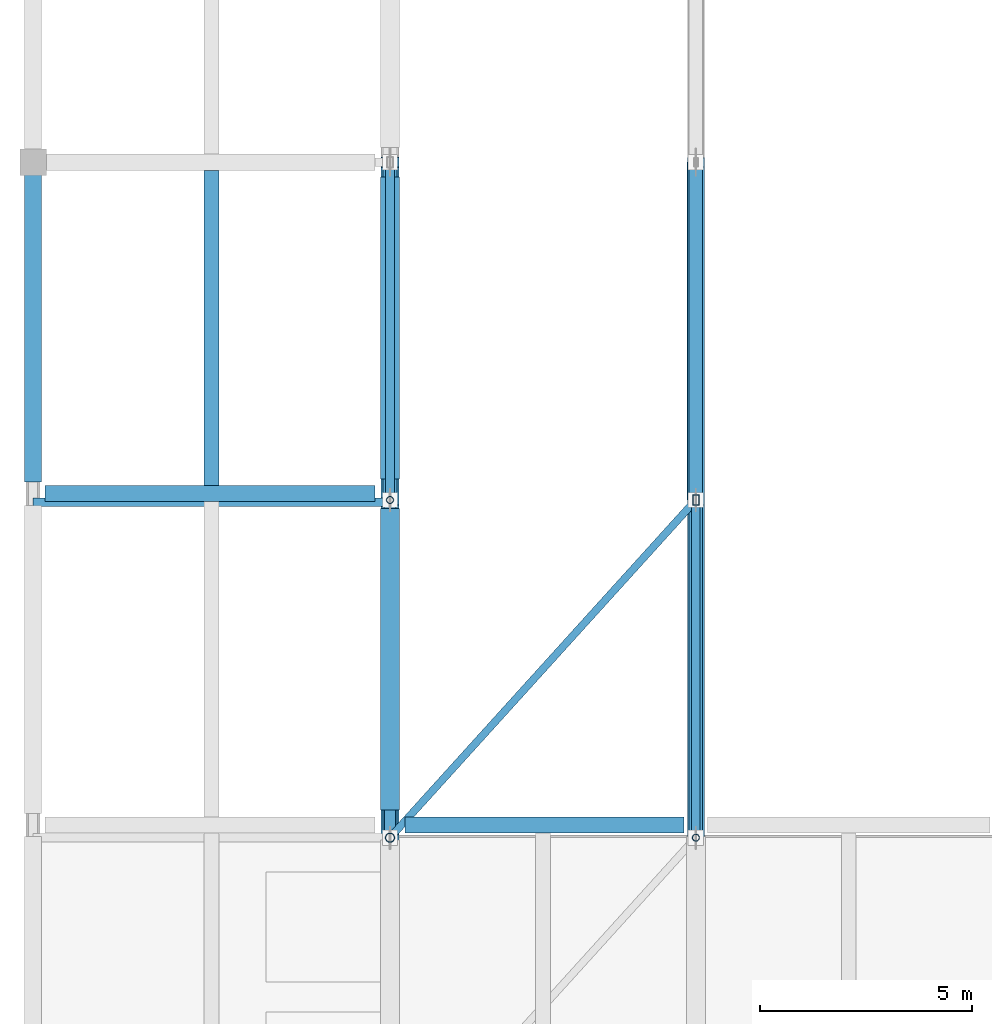
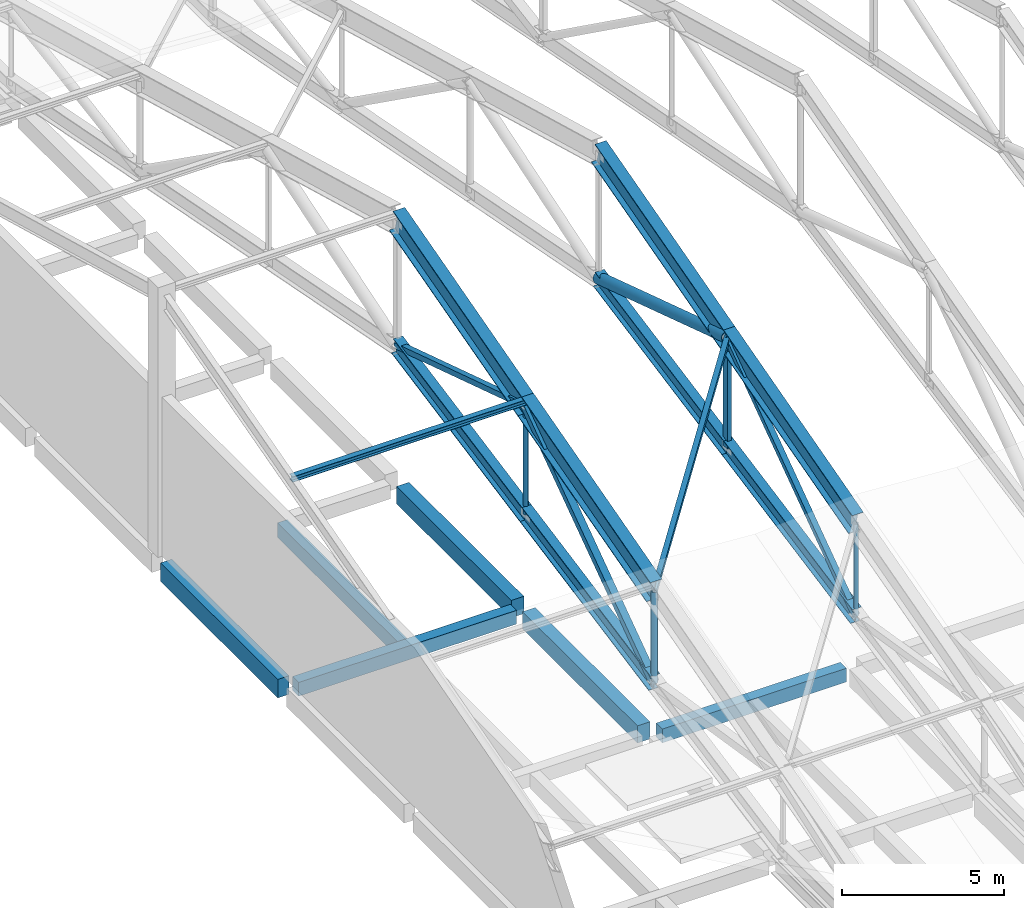
# One storey, part 5 of 53: 14 beams, 10 members.
"""IFC4 building model written with IfcOpenShell, lengths in metres."""

from ifc_helpers import new_model, si_unit, direction, frame, origin, origin_2d, place, context, subcontext, project, spatial, rectangle, hollow_rectangle, hollow_circle, i_section, extrude, material, material_profile, profile_set, type_object, element, save


model = new_model("IFC4")

# Units and contexts
model_context = context("Model", 3, precision=1e-05, world=origin(), true_north=direction((0.0, 1.0)))
body_context = subcontext(model_context, "Body", "Model", "MODEL_VIEW")
ifc_project = project(units=[si_unit("LENGTHUNIT", "METRE"), si_unit("AREAUNIT", "SQUARE_METRE"), si_unit("VOLUMEUNIT", "CUBIC_METRE"), si_unit("PLANEANGLEUNIT", "RADIAN"), si_unit("MASSUNIT", "GRAM", prefix="KILO")], contexts=[model_context])

# Site, building, storey
site_placement = place(None, origin())
site = spatial("IfcSite", under=ifc_project, at=site_placement, CompositionType="ELEMENT")
building_placement = place(site_placement, origin())
building = spatial("IfcBuilding", under=site, at=building_placement, Name="Pellamere Symphony Hall", CompositionType="ELEMENT")
storey_placement = place(building_placement, frame((0.0, 0.0, 24.0)))
storey = spatial("IfcBuildingStorey", under=building, at=storey_placement, Name="L05", CompositionType="ELEMENT", Elevation=24.0)

# Beams
ifc_material_1 = material(Name="Concrete 40 MPa", Category="concrete")
ifc_material_profile_1 = material_profile(ifc_material_1, rectangle(XDim=0.449951171875, YDim=0.64990234375, at=origin_2d()), Name="RC 450x650")
ifc_profile_set_1 = profile_set([ifc_material_profile_1], Name="Concrete 40 MPa")
beam_type_1 = type_object("IfcBeamType", Name="RC CB-08 450x650", PredefinedType="BEAM", material=ifc_profile_set_1)
for number, where, z_axis, x_axis, name in (
    (1, (58.800048828125, 46.550048828125, -0.5849609375), (0.0, 1.0, 0.0), (-1.0, 0.0, 0.0), "Girder CB-08-Y2080 (L05)"),
    (2, (58.800048828125, 54.35009765625, -0.5849609375), (0.0, 1.0, 0.0), (-1.0, 0.0, 0.0), "Girder CB-08-Y2081 (L05)"),
):
    element("IfcBeam", number, at=place(storey_placement, frame(where, z_axis=z_axis, x_axis=x_axis)), inside=storey, type_object=beam_type_1, Name=name, PredefinedType="BEAM", context=body_context, shape_type="SweptSolid", body=[
        extrude(rectangle(XDim=0.449951171875, YDim=0.64990234375, at=origin_2d()), origin(), (0.0, 0.0, 1.0), 7.099853515625),
    ])
ifc_material_2 = material(Name="Concrete 35 MPa", Category="concrete")
ifc_material_profile_2 = material_profile(ifc_material_2, rectangle(XDim=0.35009765625, YDim=0.550048828125, at=origin_2d()), Name="RC 350x550")
ifc_profile_set_2 = profile_set([ifc_material_profile_2], Name="Concrete 35 MPa")
beam_type_2 = type_object("IfcBeamType", Name="RC CB-10 350x550", PredefinedType="BEAM", material=ifc_profile_set_2)
beam_1_placement = place(storey_placement, frame((54.60009765625, 54.18994140625, -0.550048828125), z_axis=(0.0, 1.0, 0.0), x_axis=(-1.0, 0.0, 0.0)))
element("IfcBeam", 3, at=beam_1_placement, inside=storey, type_object=beam_type_2, Name="Secondary Floor Beam CB-10-M0607 (L05)", PredefinedType="BEAM", context=body_context, shape_type="SweptSolid", body=[
    extrude(rectangle(XDim=0.35009765625, YDim=0.550048828125, at=origin_2d()), origin(), (0.0, 0.0, 1.0), 7.420166015625),
])
ifc_material_profile_3 = material_profile(ifc_material_1, rectangle(XDim=0.39990234375, YDim=0.699951171875, at=origin_2d()), Name="RC 400x700")
ifc_profile_set_3 = profile_set([ifc_material_profile_3], Name="Concrete 40 MPa")
beam_type_3 = type_object("IfcBeamType", Name="RC CB-13 400x700", PredefinedType="SPANDREL", material=ifc_profile_set_3)
beam_2_placement = place(storey_placement, frame((50.39990234375, 54.27490234375, -0.610107421875), z_axis=(0.0, 1.0, 0.0), x_axis=(-1.0, 0.0, 0.0)))
element("IfcBeam", 4, at=beam_2_placement, inside=storey, type_object=beam_type_3, Name="Girder CB-13-Y2073 (L05)", PredefinedType="SPANDREL", context=body_context, shape_type="SweptSolid", body=[
    extrude(rectangle(XDim=0.39990234375, YDim=0.699951171875, at=origin_2d()), origin(), (0.0, 0.0, 1.0), 7.25),
])
ifc_material_profile_4 = material_profile(ifc_material_1, rectangle(XDim=0.3798828125, YDim=0.52001953125, at=origin_2d()), Name="RC 380x520")
ifc_profile_set_4 = profile_set([ifc_material_profile_4], Name="Concrete 40 MPa")
beam_type_4 = type_object("IfcBeamType", Name="RC CB-21 380x520", PredefinedType="BEAM", material=ifc_profile_set_4)
beam_3_placement = place(storey_placement, frame((59.14990234375, 46.199951171875, -0.52001953125), z_axis=(1.0, 0.0, 0.0), x_axis=(0.0, 1.0, 0.0)))
element("IfcBeam", 5, at=beam_3_placement, inside=storey, type_object=beam_type_4, Name="Girder CB-21-X2024 (L05)", PredefinedType="BEAM", context=body_context, shape_type="SweptSolid", body=[
    extrude(rectangle(XDim=0.3798828125, YDim=0.52001953125, at=origin_2d()), origin(), (0.0, 0.0, 1.0), 6.5751953125),
])
beam_4_placement = place(storey_placement, frame((50.675048828125, 54.0, -0.52001953125), z_axis=(1.0, 0.0, 0.0), x_axis=(0.0, 1.0, 0.0)))
element("IfcBeam", 6, at=beam_4_placement, inside=storey, type_object=beam_type_4, Name="Girder CB-21-X2036 (L05)", PredefinedType="BEAM", context=body_context, shape_type="SweptSolid", body=[
    extrude(rectangle(XDim=0.3798828125, YDim=0.52001953125, at=origin_2d()), origin(), (0.0, 0.0, 1.0), 7.77490234375),
])
ifc_material_3 = material(Name="Steel CSA G40.21 350W", Category="steel")
ifc_material_profile_5 = material_profile(ifc_material_3, i_section(OverallWidth=0.41796875, OverallDepth=0.912109375, WebThickness=0.019287109375, FlangeThickness=0.031982421875, at=origin_2d()), Name="W920X342")
ifc_profile_set_5 = profile_set([ifc_material_profile_5], Name="Steel CSA G40.21 350W")
beam_type_5 = type_object("IfcBeamType", Name="Steel Beam SB-01 W920X342", PredefinedType="BEAM", material=ifc_profile_set_5)
beam_5_placement = place(storey_placement, frame((58.800048828125, 45.89990234375, 5.158935546875), z_axis=(0.0, 0.964084943378, 0.265594092465), x_axis=(-1.0, 0.0, 0.0)))
element("IfcBeam", 7, at=beam_5_placement, inside=storey, type_object=beam_type_5, Name="Roof Truss TR-01 Top Chord 3", PredefinedType="BEAM", context=body_context, shape_type="SweptSolid", body=[
    extrude(i_section(OverallWidth=0.41796875, OverallDepth=0.912109375, WebThickness=0.019287109375, FlangeThickness=0.031982421875, at=origin_2d()), origin(), (0.0, 0.0, 1.0), 8.246337890625),
])
beam_6_placement = place(storey_placement, frame((58.800048828125, 53.85009765625, 7.34912109375), z_axis=(0.0, 0.964090435702, 0.265574154969), x_axis=(-1.0, 0.0, 0.0)))
element("IfcBeam", 8, at=beam_6_placement, inside=storey, type_object=beam_type_5, Name="Roof Truss TR-01 Top Chord 4", PredefinedType="BEAM", context=body_context, shape_type="SweptSolid", body=[
    extrude(i_section(OverallWidth=0.41796875, OverallDepth=0.912109375, WebThickness=0.019287109375, FlangeThickness=0.031982421875, at=origin_2d()), origin(), (0.0, 0.0, 1.0), 8.24609375),
])
ifc_material_profile_6 = material_profile(ifc_material_3, i_section(OverallWidth=0.39990234375, OverallDepth=0.85498046875, WebThickness=0.018310546875, FlangeThickness=0.029296875, at=origin_2d()), Name="W840X299")
ifc_profile_set_6 = profile_set([ifc_material_profile_6], Name="Steel CSA G40.21 350W")
beam_type_6 = type_object("IfcBeamType", Name="Steel Beam SB-03 W840X299", PredefinedType="BEAM", material=ifc_profile_set_6)
beam_7_placement = place(storey_placement, frame((66.0, 45.89990234375, 5.1875), z_axis=(0.0, 0.964092523779, 0.265566574693), x_axis=(-1.0, 0.0, 0.0)))
element("IfcBeam", 9, at=beam_7_placement, inside=storey, type_object=beam_type_6, Name="Roof Truss TR-02 Top Chord 3", PredefinedType="BEAM", context=body_context, shape_type="SweptSolid", body=[
    extrude(i_section(OverallWidth=0.39990234375, OverallDepth=0.85498046875, WebThickness=0.018310546875, FlangeThickness=0.029296875, at=origin_2d()), origin(), (0.0, 0.0, 1.0), 8.246337890625),
])
beam_8_placement = place(storey_placement, frame((66.0, 53.85009765625, 7.37744140625), z_axis=(0.0, 0.964090435702, 0.265574154969), x_axis=(-1.0, 0.0, 0.0)))
element("IfcBeam", 10, at=beam_8_placement, inside=storey, type_object=beam_type_6, Name="Roof Truss TR-02 Top Chord 4", PredefinedType="BEAM", context=body_context, shape_type="SweptSolid", body=[
    extrude(i_section(OverallWidth=0.39990234375, OverallDepth=0.85498046875, WebThickness=0.018310546875, FlangeThickness=0.029296875, at=origin_2d()), origin(), (0.0, 0.0, 1.0), 8.24609375),
])
ifc_material_profile_7 = material_profile(ifc_material_3, i_section(OverallWidth=0.3291015625, OverallDepth=0.635009765625, WebThickness=0.017822265625, FlangeThickness=0.031005859375, at=origin_2d()), Name="W610X241")
ifc_profile_set_7 = profile_set([ifc_material_profile_7], Name="Steel CSA G40.21 350W")
beam_type_7 = type_object("IfcBeamType", Name="Steel Beam SB-09 W610X241", PredefinedType="BEAM", material=ifc_profile_set_7)
for number, where, z_axis, x_axis, name in (
    (11, (58.800048828125, 45.89990234375, 1.706787109375), (0.0, 0.981597814787, 0.190960022008), (-1.0, 0.0, 0.0), "Roof Truss TR-01 Bottom Chord 3"),
    (12, (58.800048828125, 53.85009765625, 3.25341796875), (0.0, 0.981596715528, 0.190965672477), (-1.0, 0.0, 0.0), "Roof Truss TR-01 Bottom Chord 4"),
):
    element("IfcBeam", number, at=place(storey_placement, frame(where, z_axis=z_axis, x_axis=x_axis)), inside=storey, type_object=beam_type_7, Name=name, PredefinedType="BEAM", context=body_context, shape_type="SweptSolid", body=[
        extrude(i_section(OverallWidth=0.3291015625, OverallDepth=0.635009765625, WebThickness=0.017822265625, FlangeThickness=0.031005859375, at=origin_2d()), origin(), (0.0, 0.0, 1.0), 8.09912109375),
    ])
ifc_material_profile_8 = material_profile(ifc_material_3, i_section(OverallWidth=0.324951171875, OverallDepth=0.615966796875, WebThickness=0.013916015625, FlangeThickness=0.021484375, at=origin_2d()), Name="W610X174")
ifc_profile_set_8 = profile_set([ifc_material_profile_8], Name="Steel CSA G40.21 350W")
beam_type_8 = type_object("IfcBeamType", Name="Steel Beam SB-10 W610X174", PredefinedType="BEAM", material=ifc_profile_set_8)
for number, where, z_axis, x_axis, name in (
    (13, (66.0, 45.89990234375, 1.706787109375), (0.0, 0.981597814787, 0.190960022008), (-1.0, 0.0, 0.0), "Roof Truss TR-02 Bottom Chord 3"),
    (14, (66.0, 53.85009765625, 3.25341796875), (0.0, 0.981596715528, 0.190965672477), (-1.0, 0.0, 0.0), "Roof Truss TR-02 Bottom Chord 4"),
):
    element("IfcBeam", number, at=place(storey_placement, frame(where, z_axis=z_axis, x_axis=x_axis)), inside=storey, type_object=beam_type_8, Name=name, PredefinedType="BEAM", context=body_context, shape_type="SweptSolid", body=[
        extrude(i_section(OverallWidth=0.324951171875, OverallDepth=0.615966796875, WebThickness=0.013916015625, FlangeThickness=0.021484375, at=origin_2d()), origin(), (0.0, 0.0, 1.0), 8.09912109375),
    ])

# Members
ifc_material_profile_9 = material_profile(ifc_material_3, hollow_rectangle(XDim=0.25390625, YDim=0.25390625, WallThickness=0.0126953125, at=origin_2d()), Name="HSS254X254X13")
ifc_profile_set_9 = profile_set([ifc_material_profile_9], Name="Steel CSA G40.21 350W")
member_type_1 = type_object("IfcMemberType", Name="Steel Member SM-03 HSS254X254X13", PredefinedType="BRACE", material=ifc_profile_set_9)
member_1_placement = place(storey_placement, frame((58.800048828125, 45.89990234375, 1.706787109375), z_axis=(0.0, 0.815494562472, 0.578764735085), x_axis=(-1.0, 0.0, 0.0)))
element("IfcMember", 15, at=member_1_placement, inside=storey, type_object=member_type_1, Name="Roof Truss TR-01 Web Diagonal 3", PredefinedType="BRACE", context=body_context, shape_type="SweptSolid", body=[
    extrude(hollow_rectangle(XDim=0.25390625, YDim=0.25390625, WallThickness=0.0126953125, at=origin_2d()), origin(), (0.0, 0.0, 1.0), 9.7490234375),
])
ifc_material_profile_10 = material_profile(ifc_material_3, hollow_rectangle(XDim=0.203125, YDim=0.203125, WallThickness=0.010986328125, at=origin_2d()), Name="HSS203X203X11")
ifc_profile_set_10 = profile_set([ifc_material_profile_10], Name="Steel CSA G40.21 350W")
member_type_2 = type_object("IfcMemberType", Name="Steel Member SM-04 HSS203X203X11", PredefinedType="BRACE", material=ifc_profile_set_10)
member_2_placement = place(storey_placement, frame((58.800048828125, 53.85009765625, 7.34912109375), z_axis=(0.0, 0.952247084359, -0.305328495771), x_axis=(-1.0, 0.0, 0.0)))
element("IfcMember", 16, at=member_2_placement, inside=storey, type_object=member_type_2, Name="Roof Truss TR-01 Web Diagonal 4", PredefinedType="BRACE", context=body_context, shape_type="SweptSolid", body=[
    extrude(hollow_rectangle(XDim=0.203125, YDim=0.203125, WallThickness=0.010986328125, at=origin_2d()), origin(), (0.0, 0.0, 1.0), 8.3486328125),
])
member_3_placement = place(storey_placement, frame((66.0, 45.89990234375, 1.706787109375), z_axis=(0.0, 0.814123501795, 0.58069176318), x_axis=(-1.0, 0.0, 0.0)))
element("IfcMember", 17, at=member_3_placement, inside=storey, type_object=member_type_2, Name="Roof Truss TR-02 Web Diagonal 3", PredefinedType="BRACE", context=body_context, shape_type="SweptSolid", body=[
    extrude(hollow_rectangle(XDim=0.203125, YDim=0.203125, WallThickness=0.010986328125, at=origin_2d()), origin(), (0.0, 0.0, 1.0), 9.765380859375),
])
ifc_material_profile_11 = material_profile(ifc_material_3, hollow_rectangle(XDim=0.177734375, YDim=0.177734375, WallThickness=0.009521484375, at=origin_2d()), Name="HSS178X178X10")
ifc_profile_set_11 = profile_set([ifc_material_profile_11], Name="Steel CSA G40.21 350W")
member_type_3 = type_object("IfcMemberType", Name="Steel Member SM-05 HSS178X178X10", PredefinedType="BRACE", material=ifc_profile_set_11)
member_4_placement = place(storey_placement, frame((58.800048828125, 45.89990234375, 5.158935546875), z_axis=(0.65735390626, 0.725851025854, 0.202549080946), x_axis=(-0.741214843946, 0.671267871355, 0.0)))
element("IfcMember", 18, at=member_4_placement, inside=storey, type_object=member_type_3, Name="Roof Truss Plan Wind Brace 1.2", PredefinedType="BRACE", context=body_context, shape_type="SweptSolid", body=[
    extrude(hollow_rectangle(XDim=0.177734375, YDim=0.177734375, WallThickness=0.009521484375, at=origin_2d()), origin(), (0.0, 0.0, 1.0), 10.952880859375),
])
ifc_material_profile_12 = material_profile(ifc_material_3, hollow_rectangle(XDim=0.15234375, YDim=0.25390625, WallThickness=0.010986328125, at=origin_2d()), Name="HSS254X152X11")
ifc_profile_set_12 = profile_set([ifc_material_profile_12], Name="Steel CSA G40.21 350W")
member_type_4 = type_object("IfcMemberType", Name="Steel Member SM-07 HSS254X152X11", PredefinedType="STRUT", material=ifc_profile_set_12)
member_5_placement = place(storey_placement, frame((66.0, 53.85009765625, 3.25341796875), z_axis=(0.0, 0.0, 1.0), x_axis=(1.0, 0.0, 0.0)))
element("IfcMember", 19, at=member_5_placement, inside=storey, type_object=member_type_4, Name="Roof Truss TR-02 Vertical Post 3", PredefinedType="STRUT", context=body_context, shape_type="SweptSolid", body=[
    extrude(hollow_rectangle(XDim=0.15234375, YDim=0.25390625, WallThickness=0.010986328125, at=origin_2d()), origin(), (0.0, 0.0, 1.0), 4.1240234375),
])
ifc_material_profile_13 = material_profile(ifc_material_3, hollow_circle(Radius=0.203125, WallThickness=0.0126953125, at=origin_2d()), Name="HSS406X13")
ifc_profile_set_13 = profile_set([ifc_material_profile_13], Name="Steel CSA G40.21 350W")
member_type_5 = type_object("IfcMemberType", Name="Steel Member SM-09 HSS406X13", PredefinedType="STRUT", material=ifc_profile_set_13)
member_6_placement = place(storey_placement, frame((66.0, 53.85009765625, 7.37744140625), z_axis=(0.0, 0.951256872243, -0.308399680627), x_axis=(-1.0, 0.0, 0.0)))
element("IfcMember", 20, at=member_6_placement, inside=storey, type_object=member_type_5, Name="Roof Truss TR-02 Web Diagonal 4", PredefinedType="STRUT", context=body_context, shape_type="SweptSolid", body=[
    extrude(hollow_circle(Radius=0.203125, WallThickness=0.0126953125, at=origin_2d()), origin(), (0.0, 0.0, 1.0), 8.357421875),
])
ifc_material_profile_14 = material_profile(ifc_material_3, hollow_circle(Radius=0.109619140625, WallThickness=0.009521484375, at=origin_2d()), Name="HSS219X10")
ifc_profile_set_14 = profile_set([ifc_material_profile_14], Name="Steel CSA G40.21 350W")
member_type_6 = type_object("IfcMemberType", Name="Steel Member SM-13 HSS219X10", PredefinedType="STRUT", material=ifc_profile_set_14)
member_7_placement = place(storey_placement, frame((58.800048828125, 45.89990234375, 1.706787109375), z_axis=(0.0, 0.0, 1.0), x_axis=(1.0, 0.0, 0.0)))
element("IfcMember", 21, at=member_7_placement, inside=storey, type_object=member_type_6, Name="Roof Truss TR-01 Vertical Post 2", PredefinedType="STRUT", context=body_context, shape_type="SweptSolid", body=[
    extrude(hollow_circle(Radius=0.109619140625, WallThickness=0.009521484375, at=origin_2d()), origin(), (0.0, 0.0, 1.0), 3.4521484375),
])
ifc_material_profile_15 = material_profile(ifc_material_3, hollow_circle(Radius=0.084228515625, WallThickness=0.008056640625, at=origin_2d()), Name="HSS168X8")
ifc_profile_set_15 = profile_set([ifc_material_profile_15], Name="Steel CSA G40.21 350W")
member_type_7 = type_object("IfcMemberType", Name="Steel Member SM-14 HSS168X8", PredefinedType="COLLAR", material=ifc_profile_set_15)
member_8_placement = place(storey_placement, frame((58.800048828125, 53.85009765625, 3.25341796875), z_axis=(0.0, 0.0, 1.0), x_axis=(1.0, 0.0, 0.0)))
element("IfcMember", 22, at=member_8_placement, inside=storey, type_object=member_type_7, Name="Roof Truss TR-01 Vertical Post 3", PredefinedType="COLLAR", context=body_context, shape_type="SweptSolid", body=[
    extrude(hollow_circle(Radius=0.084228515625, WallThickness=0.008056640625, at=origin_2d()), origin(), (0.0, 0.0, 1.0), 4.095703125),
])
member_9_placement = place(storey_placement, frame((66.0, 45.89990234375, 1.706787109375), z_axis=(0.0, 0.0, 1.0), x_axis=(1.0, 0.0, 0.0)))
element("IfcMember", 23, at=member_9_placement, inside=storey, type_object=member_type_7, Name="Roof Truss TR-02 Vertical Post 2", PredefinedType="COLLAR", context=body_context, shape_type="SweptSolid", body=[
    extrude(hollow_circle(Radius=0.084228515625, WallThickness=0.008056640625, at=origin_2d()), origin(), (0.0, 0.0, 1.0), 3.480712890625),
])
ifc_material_profile_16 = material_profile(ifc_material_3, i_section(OverallWidth=0.2041015625, OverallDepth=0.2060546875, WebThickness=0.0078125, FlangeThickness=0.0126953125, at=origin_2d()), Name="W200X52")
ifc_profile_set_16 = profile_set([ifc_material_profile_16], Name="Steel CSA G40.21 350W")
member_type_8 = type_object("IfcMemberType", Name="Steel Member SM-15 W200X52", PredefinedType="PURLIN", material=ifc_profile_set_16)
member_10_placement = place(storey_placement, frame((50.39990234375, 53.800048828125, 7.55615234375), z_axis=(1.0, 0.0, 0.0), x_axis=(0.0, 1.0, 0.0)))
element("IfcMember", 24, at=member_10_placement, inside=storey, type_object=member_type_8, Name="Crystal Foyer Roof Purlin W.3", PredefinedType="PURLIN", context=body_context, shape_type="SweptSolid", body=[
    extrude(i_section(OverallWidth=0.2041015625, OverallDepth=0.2060546875, WebThickness=0.0078125, FlangeThickness=0.0126953125, at=origin_2d()), origin(), (0.0, 0.0, 1.0), 8.400146484375),
])

save(model, "model.ifc")
